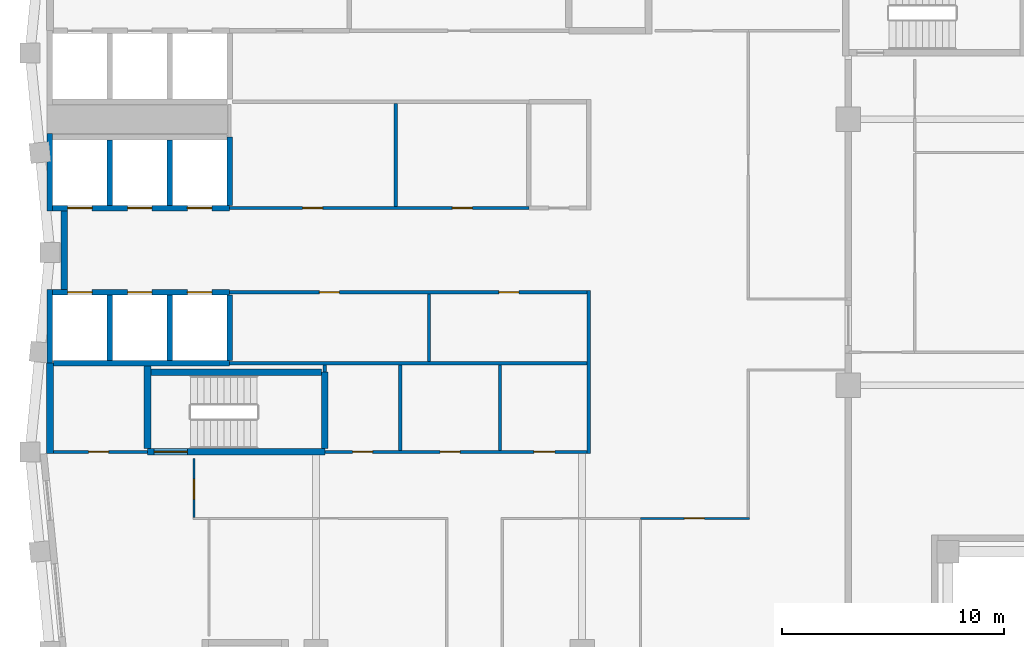
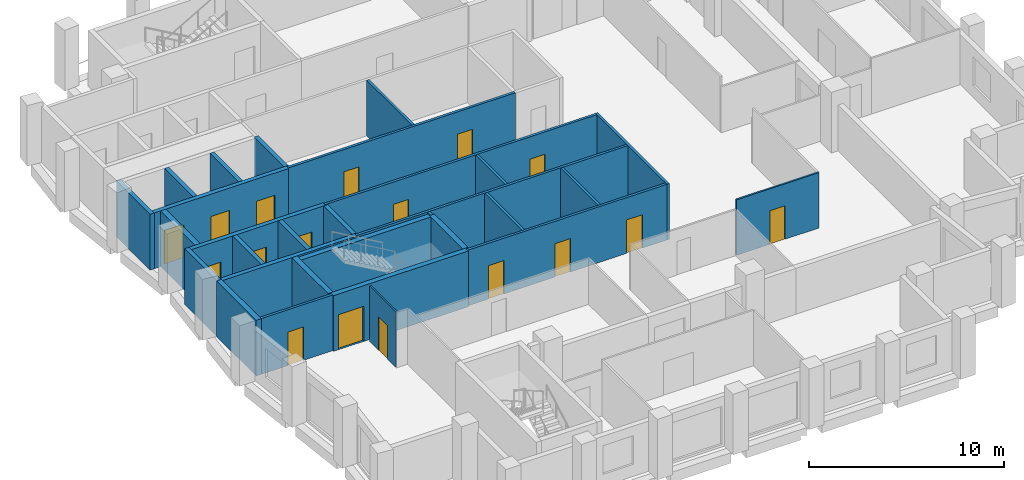
# One storey, part 3 of 7: 30 walls, 17 doors, 17 openings.
"""IFC4 building model written with IfcOpenShell, lengths in metres."""

import ifcopenshell
import ifcopenshell.guid

model = None  # the IFC model being written
_history = None  # IfcOwnerHistory: only IFC2X3 demands one
_inside = {}  # id of a spatial element -> (the spatial element, [elements in it])
_under = {}  # id of a project, library or spatial element -> (it, [spatial elements below it])
_declared = {}  # id of a project -> (the project, [libraries it declares])
_typed = {}  # id of a type object -> (the type object, [elements of that type])
_made_of = {}  # id of a material, layer set ... -> (it, [elements and type objects made of it])


def new_model(schema):
    """Start an empty IFC model of exactly this schema.

    Asked for "IFC4X3", IfcOpenShell would pick the latest addendum, in which some entities
    have other attributes; the version numbers below select the first issue.
    IFC2X3 requires an IfcOwnerHistory on every rooted entity: one is made here for all.
    """
    global model, _history
    if schema == "IFC4X3":
        model = ifcopenshell.file(schema_version=(4, 3, 0, 0))
    else:
        model = ifcopenshell.file(schema=schema)
    _inside.clear()
    _under.clear()
    _declared.clear()
    _typed.clear()
    _made_of.clear()
    _history = None
    if model.schema == "IFC2X3":
        org = make("IfcOrganization", Name="unknown")
        user = make(
            "IfcPersonAndOrganization",
            ThePerson=make("IfcPerson", FamilyName="unknown"),
            TheOrganization=org,
        )
        app = make(
            "IfcApplication",
            ApplicationDeveloper=org,
            Version="unknown",
            ApplicationFullName="unknown",
            ApplicationIdentifier="unknown",
        )
        _history = make(
            "IfcOwnerHistory",
            OwningUser=user,
            OwningApplication=app,
            ChangeAction="ADDED",
            CreationDate=0,
        )
    return model


def make(cls, **values):
    """One entity of the class cls with the attributes given. An attribute that is None is left unset."""
    return model.create_entity(
        cls, **{name: value for name, value in values.items() if value is not None}
    )


def rooted(cls, **values):
    """An entity with a GlobalId (a new one), such as an element, a storey or a relation."""
    return make(cls, GlobalId=ifcopenshell.guid.new(), OwnerHistory=_history, **values)


def si_unit(unit_type, name, prefix=None):
    """IfcSIUnit, for example si_unit("LENGTHUNIT", "METRE", prefix="MILLI")."""
    return make("IfcSIUnit", UnitType=unit_type, Prefix=prefix, Name=name)


def assignment(units):
    """IfcUnitAssignment: the units of a project."""
    return None if units is None else make("IfcUnitAssignment", Units=units)


def point(xyz):
    """IfcCartesianPoint."""
    return None if xyz is None else make("IfcCartesianPoint", Coordinates=xyz)


def direction(xyz):
    """IfcDirection."""
    return None if xyz is None else make("IfcDirection", DirectionRatios=xyz)


def frame(location, z_axis=None, x_axis=None):
    """IfcAxis2Placement3D, a coordinate frame: its origin and axes. An axis left out is left unset."""
    return make(
        "IfcAxis2Placement3D",
        Location=point(location),
        Axis=direction(z_axis),
        RefDirection=direction(x_axis),
    )


def frame_2d(location, x_axis=None):
    """IfcAxis2Placement2D, a coordinate frame in the plane: its origin and x axis."""
    return make(
        "IfcAxis2Placement2D", Location=point(location), RefDirection=direction(x_axis)
    )


def origin():
    """The frame at (0, 0, 0) with its axes left unset."""
    return frame((0.0, 0.0, 0.0))


def place(relative_to, where):
    """IfcLocalPlacement: puts the frame where relative to a parent placement (None: the world)."""
    return make(
        "IfcLocalPlacement", PlacementRelTo=relative_to, RelativePlacement=where
    )


def context(
    kind, dimensions, precision=None, world=None, true_north=None, identifier=None
):
    """IfcGeometricRepresentationContext, for example the 3D "Model" context."""
    return make(
        "IfcGeometricRepresentationContext",
        ContextIdentifier=identifier,
        ContextType=kind,
        CoordinateSpaceDimension=dimensions,
        Precision=precision,
        WorldCoordinateSystem=world,
        TrueNorth=true_north,
    )


def subcontext(parent, identifier, kind, view, scale=None):
    """IfcGeometricRepresentationSubContext, for example "Body" below "Model"."""
    return make(
        "IfcGeometricRepresentationSubContext",
        ContextIdentifier=identifier,
        ContextType=kind,
        ParentContext=parent,
        TargetScale=scale,
        TargetView=view,
    )


def project(units=None, contexts=None):
    """IfcProject with its units and contexts."""
    return rooted(
        "IfcProject",
        Name="project",
        RepresentationContexts=contexts,
        UnitsInContext=assignment(units),
    )


def spatial(cls, under=None, at=None, **own):
    """A site, building, storey or space (cls), placed at a placement, below another one or the project."""
    s = rooted(cls, ObjectPlacement=at, **own)
    if under is not None:
        _under.setdefault(under.id(), (under, []))[1].append(s)
    return s


def profile(cls, at=None, kind="AREA", **sizes):
    """A parametric profile (cls). Its sizes go by their IFC names, for example OverallWidth=200.0."""
    return make(cls, ProfileType=kind, Position=at, **sizes)


def rectangle(**sizes):
    """IfcRectangleProfileDef."""
    return profile("IfcRectangleProfileDef", **sizes)


def extrude(swept, where, along, depth):
    """IfcExtrudedAreaSolid: the profile swept, set in the frame where, extruded along a direction by depth."""
    return make(
        "IfcExtrudedAreaSolid",
        SweptArea=swept,
        Position=where,
        ExtrudedDirection=direction(along),
        Depth=depth,
    )


def shape(context_of_items, identifier, shape_type, items):
    """IfcShapeRepresentation: the items that make up one representation, for example the "Body"."""
    return make(
        "IfcShapeRepresentation",
        ContextOfItems=context_of_items,
        RepresentationIdentifier=identifier,
        RepresentationType=shape_type,
        Items=items,
    )


def material(Name=None, Category=None):
    """IfcMaterial."""
    return make("IfcMaterial", Name=Name, Category=Category)


def layer(
    of_material, thickness, ventilated=None, Name=None, Category=None, Priority=None
):
    """IfcMaterialLayer: one layer of a wall or slab, of a material (None: an air gap)."""
    return make(
        "IfcMaterialLayer",
        Material=of_material,
        LayerThickness=thickness,
        IsVentilated=ventilated,
        Name=Name,
        Category=Category,
        Priority=Priority,
    )


def layer_set(layers, Name=None):
    """IfcMaterialLayerSet."""
    return make("IfcMaterialLayerSet", MaterialLayers=layers, LayerSetName=Name)


def made_of(thing, what):
    """Note that an element or type object is made of a material, layer set ...; save() writes the relation."""
    if what is not None:
        _made_of.setdefault(what.id(), (what, []))[1].append(thing)
    return thing


def type_object(cls, material=None, **own):
    """A type object (cls), such as IfcWallType, which elements share."""
    return made_of(rooted(cls, **own), material)


def element(
    cls,
    number,
    at=None,
    inside=None,
    cuts=None,
    type_object=None,
    material=None,
    context=None,
    identifier="Body",
    shape_type=None,
    held_by="IfcProductDefinitionShape",
    body=None,
    shapes=None,
    **own,
):
    """One element of the class cls, such as IfcWall. Its Tag is "e" and its number.

    at: its placement. inside: the storey or other place that contains it. cuts: it is an
    opening in that element (IfcRelVoidsElement). A single representation is given by context,
    identifier, shape_type and body (its items); several are given by shapes. held_by: the class
    of the entity that holds the representations. save() writes the other relations.
    """
    e = rooted(cls, Tag="e%d" % number, ObjectPlacement=at, **own)
    if body is not None:
        shapes = [shape(context, identifier, shape_type, body)]
    if shapes is not None:
        e.Representation = make(held_by, Representations=shapes)
    if inside is not None:
        _inside.setdefault(inside.id(), (inside, []))[1].append(e)
    if cuts is not None:
        rooted(
            "IfcRelVoidsElement", RelatingBuildingElement=cuts, RelatedOpeningElement=e
        )
    if type_object is not None:
        _typed.setdefault(type_object.id(), (type_object, []))[1].append(e)
    return made_of(e, material)


def fill(opening, filler):
    """IfcRelFillsElement: the door or window that sits in an opening."""
    return rooted(
        "IfcRelFillsElement",
        RelatingOpeningElement=opening,
        RelatedBuildingElement=filler,
    )


def aggregate(whole, parts):
    """IfcRelAggregates: a whole, such as a stair, and the parts it consists of."""
    return rooted("IfcRelAggregates", RelatingObject=whole, RelatedObjects=parts)


def save(model, path):
    """Write the relations noted so far, then the file.

    IfcRelAggregates (storeys below a building ...), IfcRelContainedInSpatialStructure (elements
    in a storey), IfcRelDefinesByType, IfcRelAssociatesMaterial and IfcRelDeclares: one each for
    every whole, place, type object, material and project.
    """
    for whole, parts in _under.values():
        aggregate(whole, parts)
    for where, things in _inside.values():
        rooted(
            "IfcRelContainedInSpatialStructure",
            RelatedElements=things,
            RelatingStructure=where,
        )
    for kind, things in _typed.values():
        rooted("IfcRelDefinesByType", RelatedObjects=things, RelatingType=kind)
    for what, things in _made_of.values():
        rooted("IfcRelAssociatesMaterial", RelatedObjects=things, RelatingMaterial=what)
    for by, libraries in _declared.values():
        rooted("IfcRelDeclares", RelatingContext=by, RelatedDefinitions=libraries)
    model.write(path)


model = new_model("IFC4")

# Units and contexts
model_context = context("Model", 3, precision=1e-05, world=origin(), true_north=direction((0.0, 1.0)))
body_context = subcontext(model_context, "Body", "Model", "MODEL_VIEW")
ifc_project = project(units=[si_unit("LENGTHUNIT", "METRE"), si_unit("AREAUNIT", "SQUARE_METRE"), si_unit("VOLUMEUNIT", "CUBIC_METRE"), si_unit("PLANEANGLEUNIT", "RADIAN"), si_unit("MASSUNIT", "GRAM", prefix="KILO")], contexts=[model_context])

# Site, building, storey
site_placement = place(None, origin())
site = spatial("IfcSite", under=ifc_project, at=site_placement, CompositionType="ELEMENT")
building_placement = place(site_placement, origin())
building = spatial("IfcBuilding", under=site, at=building_placement, Name="Brondeck Convention Tower", CompositionType="ELEMENT")
storey_placement = place(building_placement, frame((0.0, 0.0, 263.800048828125)))
storey = spatial("IfcBuildingStorey", under=building, at=storey_placement, Name="L65", CompositionType="ELEMENT", Elevation=263.800048828125)

# Wall, openings, doors
ifc_material_1 = material(Name="Concrete C50/60", Category="concrete")
ifc_layer_1 = layer(ifc_material_1, 0.14990234375)
ifc_layer_set_1 = layer_set([ifc_layer_1], Name="Core beam-seat wall 150 Concrete C50/60")
wall_type_1 = type_object("IfcWallType", Name="Core beam-seat wall 150 Concrete C50/60", PredefinedType="SHEAR", material=ifc_layer_set_1)
wall_1_placement = place(storey_placement, frame((12.39990234375, 36.0, 0.0), z_axis=(0.0, 0.0, 1.0), x_axis=(1.0, 0.0, 0.0)))
wall_1 = element("IfcWall", 1, at=wall_1_placement, inside=storey, type_object=wall_type_1, Name="L65 core wall", PredefinedType="SHEAR", context=body_context, shape_type="SweptSolid", body=[
    extrude(rectangle(XDim=11.8251953125, YDim=0.14990234375, at=frame_2d((5.91259765625, 0.0))), origin(), (0.0, 0.0, 1.0), 3.5),
])
opening_1_placement = place(wall_1_placement, frame((1.25, 0.0, 0.0)))
opening_1 = element("IfcOpeningElement", 2, at=opening_1_placement, cuts=wall_1, Name="Opening C36-03", PredefinedType="OPENING", context=body_context, shape_type="SweptSolid", body=[
    extrude(rectangle(XDim=0.89990234375, YDim=2.10009765625, at=frame_2d((0.449951171875, 1.050048828125))), frame((0.0, 0.0849609375, 0.0), z_axis=(0.0, -1.0, 0.0), x_axis=(1.0, 0.0, 0.0)), (0.0, 0.0, 1.0), 0.169921875),
])
opening_2_placement = place(wall_1_placement, frame((5.199951171875, 0.0, 0.0)))
opening_2 = element("IfcOpeningElement", 3, at=opening_2_placement, cuts=wall_1, Name="Opening C36-04", PredefinedType="OPENING", context=body_context, shape_type="SweptSolid", body=[
    extrude(rectangle(XDim=0.89990234375, YDim=2.10009765625, at=frame_2d((0.449951171875, 1.050048828125))), frame((0.0, 0.0849609375, 0.0), z_axis=(0.0, -1.0, 0.0), x_axis=(1.0, 0.0, 0.0)), (0.0, 0.0, 1.0), 0.169921875),
])
opening_3_placement = place(wall_1_placement, frame((9.425048828125, 0.0, 0.0)))
opening_3 = element("IfcOpeningElement", 4, at=opening_3_placement, cuts=wall_1, Name="Opening C36-05", PredefinedType="OPENING", context=body_context, shape_type="SweptSolid", body=[
    extrude(rectangle(XDim=0.949951171875, YDim=2.10009765625, at=frame_2d((0.47509765625, 1.050048828125))), frame((0.0, 0.0849609375, 0.0), z_axis=(0.0, -1.0, 0.0), x_axis=(1.0, 0.0, 0.0)), (0.0, 0.0, 1.0), 0.169921875),
])
ifc_material_2 = material(Name="Steel fire door", Category="steel")
door_type_1 = type_object("IfcDoorType", Name="Room door 900x2100 EI 60", OperationType="NOTDEFINED", PredefinedType="DOOR", material=ifc_material_2)
door_1_placement = place(opening_1_placement, origin())
door_1 = element("IfcDoor", 5, at=door_1_placement, inside=storey, type_object=door_type_1, Name="L65 Room door FR-1", OperationType="SINGLE_SWING_RIGHT", OverallHeight=2.10009765625, OverallWidth=0.89990234375, PredefinedType="DOOR", context=body_context, shape_type="SweptSolid", body=[
    extrude(rectangle(XDim=0.89990234375, YDim=2.10009765625, at=frame_2d((0.449951171875, 1.050048828125))), frame((0.0, 0.02490234375, 0.0), z_axis=(0.0, -1.0, 0.0), x_axis=(1.0, 0.0, 0.0)), (0.0, 0.0, 1.0), 0.050048828125),
])
fill(opening_1, door_1)
door_2_placement = place(opening_2_placement, origin())
door_2 = element("IfcDoor", 6, at=door_2_placement, inside=storey, type_object=door_type_1, Name="L65 Room door FR-2", OperationType="SINGLE_SWING_LEFT", OverallHeight=2.10009765625, OverallWidth=0.89990234375, PredefinedType="DOOR", context=body_context, shape_type="SweptSolid", body=[
    extrude(rectangle(XDim=0.89990234375, YDim=2.10009765625, at=frame_2d((0.449951171875, 1.050048828125))), frame((0.0, 0.02490234375, 0.0), z_axis=(0.0, -1.0, 0.0), x_axis=(1.0, 0.0, 0.0)), (0.0, 0.0, 1.0), 0.050048828125),
])
fill(opening_2, door_2)
door_type_2 = type_object("IfcDoorType", Name="Room door 950x2100 EI 60", OperationType="NOTDEFINED", PredefinedType="DOOR", material=ifc_material_2)
door_3_placement = place(opening_3_placement, origin())
door_3 = element("IfcDoor", 7, at=door_3_placement, inside=storey, type_object=door_type_2, Name="L65 Room door FR-3", OperationType="SINGLE_SWING_RIGHT", OverallHeight=2.10009765625, OverallWidth=0.949951171875, PredefinedType="DOOR", context=body_context, shape_type="SweptSolid", body=[
    extrude(rectangle(XDim=0.949951171875, YDim=2.10009765625, at=frame_2d((0.47509765625, 1.050048828125))), frame((0.0, 0.02490234375, 0.0), z_axis=(0.0, -1.0, 0.0), x_axis=(1.0, 0.0, 0.0)), (0.0, 0.0, 1.0), 0.050048828125),
])
fill(opening_3, door_3)

# Walls
ifc_layer_2 = layer(ifc_material_1, 0.300048828125)
ifc_layer_set_2 = layer_set([ifc_layer_2], Name="Core outer wall 300 Concrete C50/60")
wall_type_2 = type_object("IfcWallType", Name="Core outer wall 300 Concrete C50/60", PredefinedType="SHEAR", material=ifc_layer_set_2)
wall_2_placement = place(storey_placement, frame((0.0, 35.925048828125, 0.0), z_axis=(0.0, 0.0, 1.0), x_axis=(0.0, 1.0, 0.0)))
element("IfcWall", 8, at=wall_2_placement, inside=storey, type_object=wall_type_2, Name="L65 core wall", PredefinedType="SHEAR", context=body_context, shape_type="SweptSolid", body=[
    extrude(rectangle(XDim=4.074951171875, YDim=0.300048828125, at=frame_2d((2.03759765625, 0.0))), origin(), (0.0, 0.0, 1.0), 3.5),
])
wall_3_placement = place(storey_placement, frame((0.64990234375, 43.324951171875, 0.0), z_axis=(0.0, 0.0, 1.0), x_axis=(0.0, 1.0, 0.0)))
element("IfcWall", 9, at=wall_3_placement, inside=storey, type_object=wall_type_2, Name="L65 core wall", PredefinedType="SHEAR", context=body_context, shape_type="SweptSolid", body=[
    extrude(rectangle(XDim=3.550048828125, YDim=0.300048828125, at=frame_2d((1.77490234375, 0.0))), origin(), (0.0, 0.0, 1.0), 3.5),
])

# Wall, opening, door
ifc_material_3 = material(Name="Fire-rated gypsum board partition")
ifc_layer_3 = layer(ifc_material_3, 0.14990234375)
ifc_layer_set_3 = layer_set([ifc_layer_3], Name="Core partition 150 EI 60")
wall_type_3 = type_object("IfcWallType", Name="Core partition 150 EI 60", PredefinedType="PARTITIONING", material=ifc_layer_set_3)
wall_4_placement = place(storey_placement, frame((0.14990234375, 36.0, 0.0), z_axis=(0.0, 0.0, 1.0), x_axis=(1.0, 0.0, 0.0)))
wall_4 = element("IfcWall", 10, at=wall_4_placement, inside=storey, type_object=wall_type_3, Name="L65 core wall", PredefinedType="PARTITIONING", context=body_context, shape_type="SweptSolid", body=[
    extrude(rectangle(XDim=4.25, YDim=0.14990234375, at=frame_2d((2.125, 0.0))), origin(), (0.0, 0.0, 1.0), 3.5),
])
opening_4_placement = place(wall_4_placement, frame((1.60009765625, 0.0, 0.0)))
opening_4 = element("IfcOpeningElement", 11, at=opening_4_placement, cuts=wall_4, Name="Opening C36-06", PredefinedType="OPENING", context=body_context, shape_type="SweptSolid", body=[
    extrude(rectangle(XDim=0.89990234375, YDim=2.10009765625, at=frame_2d((0.449951171875, 1.050048828125))), frame((0.0, 0.0849609375, 0.0), z_axis=(0.0, -1.0, 0.0), x_axis=(1.0, 0.0, 0.0)), (0.0, 0.0, 1.0), 0.169921875),
])
door_4_placement = place(opening_4_placement, origin())
door_4 = element("IfcDoor", 12, at=door_4_placement, inside=storey, type_object=door_type_1, Name="L65 Room door FRW-1", OperationType="SINGLE_SWING_LEFT", OverallHeight=2.10009765625, OverallWidth=0.89990234375, PredefinedType="DOOR", context=body_context, shape_type="SweptSolid", body=[
    extrude(rectangle(XDim=0.89990234375, YDim=2.10009765625, at=frame_2d((0.449951171875, 1.050048828125))), frame((0.0, 0.02490234375, 0.0), z_axis=(0.0, -1.0, 0.0), x_axis=(1.0, 0.0, 0.0)), (0.0, 0.0, 1.0), 0.050048828125),
])
fill(opening_4, door_4)

# Wall
wall_5_placement = place(storey_placement, frame((8.10009765625, 40.0, 0.0), z_axis=(0.0, 0.0, 1.0), x_axis=(1.0, 0.0, 0.0)))
element("IfcWall", 13, at=wall_5_placement, inside=storey, type_object=wall_type_3, Name="L65 core wall", PredefinedType="PARTITIONING", context=body_context, shape_type="SweptSolid", body=[
    extrude(rectangle(XDim=16.125, YDim=0.14990234375, at=frame_2d((8.0625, 0.0))), origin(), (0.0, 0.0, 1.0), 3.5),
])

# Wall, openings, doors
wall_6_placement = place(storey_placement, frame((8.10009765625, 43.199951171875, 0.0), z_axis=(0.0, 0.0, 1.0), x_axis=(1.0, 0.0, 0.0)))
wall_6 = element("IfcWall", 14, at=wall_6_placement, inside=storey, type_object=wall_type_3, Name="L65 core wall", PredefinedType="PARTITIONING", context=body_context, shape_type="SweptSolid", body=[
    extrude(rectangle(XDim=16.125, YDim=0.14990234375, at=frame_2d((8.0625, 0.0))), origin(), (0.0, 0.0, 1.0), 3.5),
])
opening_5_placement = place(wall_6_placement, frame((4.050048828125, 0.0, 0.0)))
opening_5 = element("IfcOpeningElement", 15, at=opening_5_placement, cuts=wall_6, Name="Opening C36-09", PredefinedType="OPENING", context=body_context, shape_type="SweptSolid", body=[
    extrude(rectangle(XDim=0.89990234375, YDim=2.10009765625, at=frame_2d((0.449951171875, 1.050048828125))), frame((0.0, 0.0849609375, 0.0), z_axis=(0.0, -1.0, 0.0), x_axis=(1.0, 0.0, 0.0)), (0.0, 0.0, 1.0), 0.169921875),
])
opening_6_placement = place(wall_6_placement, frame((12.14990234375, 0.0, 0.0)))
opening_6 = element("IfcOpeningElement", 16, at=opening_6_placement, cuts=wall_6, Name="Opening C36-10", PredefinedType="OPENING", context=body_context, shape_type="SweptSolid", body=[
    extrude(rectangle(XDim=0.89990234375, YDim=2.10009765625, at=frame_2d((0.449951171875, 1.050048828125))), frame((0.0, 0.0849609375, 0.0), z_axis=(0.0, -1.0, 0.0), x_axis=(1.0, 0.0, 0.0)), (0.0, 0.0, 1.0), 0.169921875),
])
door_5_placement = place(opening_5_placement, origin())
door_5 = element("IfcDoor", 17, at=door_5_placement, inside=storey, type_object=door_type_1, Name="L65 Room door FZ-S-8.1-1", OperationType="SINGLE_SWING_RIGHT", OverallHeight=2.10009765625, OverallWidth=0.89990234375, PredefinedType="DOOR", context=body_context, shape_type="SweptSolid", body=[
    extrude(rectangle(XDim=0.89990234375, YDim=2.10009765625, at=frame_2d((0.449951171875, 1.050048828125))), frame((0.0, 0.02490234375, 0.0), z_axis=(0.0, -1.0, 0.0), x_axis=(1.0, 0.0, 0.0)), (0.0, 0.0, 1.0), 0.050048828125),
])
fill(opening_5, door_5)
door_6_placement = place(opening_6_placement, origin())
door_6 = element("IfcDoor", 18, at=door_6_placement, inside=storey, type_object=door_type_1, Name="L65 Room door FZ-S-8.1-2", OperationType="SINGLE_SWING_LEFT", OverallHeight=2.10009765625, OverallWidth=0.89990234375, PredefinedType="DOOR", context=body_context, shape_type="SweptSolid", body=[
    extrude(rectangle(XDim=0.89990234375, YDim=2.10009765625, at=frame_2d((0.449951171875, 1.050048828125))), frame((0.0, 0.02490234375, 0.0), z_axis=(0.0, -1.0, 0.0), x_axis=(1.0, 0.0, 0.0)), (0.0, 0.0, 1.0), 0.050048828125),
])
fill(opening_6, door_6)

wall_7_placement = place(storey_placement, frame((8.10009765625, 47.0, 0.0), z_axis=(0.0, 0.0, 1.0), x_axis=(1.0, 0.0, 0.0)))
wall_7 = element("IfcWall", 19, at=wall_7_placement, inside=storey, type_object=wall_type_3, Name="L65 core wall", PredefinedType="PARTITIONING", context=body_context, shape_type="SweptSolid", body=[
    extrude(rectangle(XDim=13.5, YDim=0.14990234375, at=frame_2d((6.75, 0.0))), origin(), (0.0, 0.0, 1.0), 3.5),
])
opening_7_placement = place(wall_7_placement, frame((3.300048828125, 0.0, 0.0)))
opening_7 = element("IfcOpeningElement", 20, at=opening_7_placement, cuts=wall_7, Name="Opening C36-07", PredefinedType="OPENING", context=body_context, shape_type="SweptSolid", body=[
    extrude(rectangle(XDim=0.89990234375, YDim=2.10009765625, at=frame_2d((0.449951171875, 1.050048828125))), frame((0.0, 0.0849609375, 0.0), z_axis=(0.0, -1.0, 0.0), x_axis=(1.0, 0.0, 0.0)), (0.0, 0.0, 1.0), 0.169921875),
])
opening_8_placement = place(wall_7_placement, frame((10.050048828125, 0.0, 0.0)))
opening_8 = element("IfcOpeningElement", 21, at=opening_8_placement, cuts=wall_7, Name="Opening C36-08", PredefinedType="OPENING", context=body_context, shape_type="SweptSolid", body=[
    extrude(rectangle(XDim=0.89990234375, YDim=2.10009765625, at=frame_2d((0.449951171875, 1.050048828125))), frame((0.0, 0.0849609375, 0.0), z_axis=(0.0, -1.0, 0.0), x_axis=(1.0, 0.0, 0.0)), (0.0, 0.0, 1.0), 0.169921875),
])
door_7_placement = place(opening_7_placement, origin())
door_7 = element("IfcDoor", 22, at=door_7_placement, inside=storey, type_object=door_type_1, Name="L65 Room door FZ-N-8.1-1", OperationType="SINGLE_SWING_LEFT", OverallHeight=2.10009765625, OverallWidth=0.89990234375, PredefinedType="DOOR", context=body_context, shape_type="SweptSolid", body=[
    extrude(rectangle(XDim=0.89990234375, YDim=2.10009765625, at=frame_2d((0.449951171875, 1.050048828125))), frame((0.0, 0.02490234375, 0.0), z_axis=(0.0, -1.0, 0.0), x_axis=(1.0, 0.0, 0.0)), (0.0, 0.0, 1.0), 0.050048828125),
])
fill(opening_7, door_7)
door_8_placement = place(opening_8_placement, origin())
door_8 = element("IfcDoor", 23, at=door_8_placement, inside=storey, type_object=door_type_1, Name="L65 Room door FZ-N-8.1-2", OperationType="SINGLE_SWING_RIGHT", OverallHeight=2.10009765625, OverallWidth=0.89990234375, PredefinedType="DOOR", context=body_context, shape_type="SweptSolid", body=[
    extrude(rectangle(XDim=0.89990234375, YDim=2.10009765625, at=frame_2d((0.449951171875, 1.050048828125))), frame((0.0, 0.02490234375, 0.0), z_axis=(0.0, -1.0, 0.0), x_axis=(1.0, 0.0, 0.0)), (0.0, 0.0, 1.0), 0.050048828125),
])
fill(opening_8, door_8)

# Walls
wall_8_placement = place(storey_placement, frame((12.39990234375, 39.60009765625, 0.0), z_axis=(0.0, 0.0, 1.0), x_axis=(0.0, 1.0, 0.0)))
element("IfcWall", 24, at=wall_8_placement, inside=storey, type_object=wall_type_3, Name="L65 core wall", PredefinedType="PARTITIONING", context=body_context, shape_type="SweptSolid", body=[
    extrude(rectangle(XDim=0.324951171875, YDim=0.14990234375, at=frame_2d((0.16259765625, 0.0))), origin(), (0.0, 0.0, 1.0), 3.5),
])
wall_9_placement = place(storey_placement, frame((15.60009765625, 47.074951171875, 0.0), z_axis=(0.0, 0.0, 1.0), x_axis=(0.0, 1.0, 0.0)))
element("IfcWall", 25, at=wall_9_placement, inside=storey, type_object=wall_type_3, Name="L65 core wall", PredefinedType="PARTITIONING", context=body_context, shape_type="SweptSolid", body=[
    extrude(rectangle(XDim=4.650146484375, YDim=0.14990234375, at=frame_2d((2.3251953125, 0.0))), origin(), (0.0, 0.0, 1.0), 3.5),
])
wall_10_placement = place(storey_placement, frame((15.800048828125, 36.074951171875, 0.0), z_axis=(0.0, 0.0, 1.0), x_axis=(0.0, 1.0, 0.0)))
element("IfcWall", 26, at=wall_10_placement, inside=storey, type_object=wall_type_3, Name="L65 core wall", PredefinedType="PARTITIONING", context=body_context, shape_type="SweptSolid", body=[
    extrude(rectangle(XDim=3.85009765625, YDim=0.14990234375, at=frame_2d((1.925048828125, 0.0))), origin(), (0.0, 0.0, 1.0), 3.5),
])
wall_11_placement = place(storey_placement, frame((17.10009765625, 40.074951171875, 0.0), z_axis=(0.0, 0.0, 1.0), x_axis=(0.0, 1.0, 0.0)))
element("IfcWall", 27, at=wall_11_placement, inside=storey, type_object=wall_type_3, Name="L65 core wall", PredefinedType="PARTITIONING", context=body_context, shape_type="SweptSolid", body=[
    extrude(rectangle(XDim=3.050048828125, YDim=0.14990234375, at=frame_2d((1.52490234375, 0.0))), origin(), (0.0, 0.0, 1.0), 3.5),
])
wall_12_placement = place(storey_placement, frame((20.300048828125, 36.074951171875, 0.0), z_axis=(0.0, 0.0, 1.0), x_axis=(0.0, 1.0, 0.0)))
element("IfcWall", 28, at=wall_12_placement, inside=storey, type_object=wall_type_3, Name="L65 core wall", PredefinedType="PARTITIONING", context=body_context, shape_type="SweptSolid", body=[
    extrude(rectangle(XDim=3.85009765625, YDim=0.14990234375, at=frame_2d((1.925048828125, 0.0))), origin(), (0.0, 0.0, 1.0), 3.5),
])
wall_13_placement = place(storey_placement, frame((24.300048828125, 35.925048828125, 0.0), z_axis=(0.0, 0.0, 1.0), x_axis=(0.0, 1.0, 0.0)))
element("IfcWall", 29, at=wall_13_placement, inside=storey, type_object=wall_type_3, Name="L65 core wall", PredefinedType="PARTITIONING", context=body_context, shape_type="SweptSolid", body=[
    extrude(rectangle(XDim=7.349853515625, YDim=0.14990234375, at=frame_2d((3.6748046875, 0.0))), origin(), (0.0, 0.0, 1.0), 3.5),
])
ifc_layer_4 = layer(ifc_material_1, 0.25)
ifc_layer_set_4 = layer_set([ifc_layer_4], Name="Lift shaft wall 250 Concrete C50/60")
wall_type_4 = type_object("IfcWallType", Name="Lift shaft wall 250 Concrete C50/60", PredefinedType="SHEAR", material=ifc_layer_set_4)
wall_14_placement = place(storey_placement, frame((0.14990234375, 40.0, 0.0), z_axis=(0.0, 0.0, 1.0), x_axis=(1.0, 0.0, 0.0)))
element("IfcWall", 30, at=wall_14_placement, inside=storey, type_object=wall_type_4, Name="L65 core wall", PredefinedType="SHEAR", context=body_context, shape_type="SweptSolid", body=[
    extrude(rectangle(XDim=7.9501953125, YDim=0.25, at=frame_2d((3.97509765625, 0.0))), origin(), (0.0, 0.0, 1.0), 3.5),
])

# Wall, openings, doors
wall_15_placement = place(storey_placement, frame((0.125, 43.199951171875, 0.0), z_axis=(0.0, 0.0, 1.0), x_axis=(1.0, 0.0, 0.0)))
wall_15 = element("IfcWall", 31, at=wall_15_placement, inside=storey, type_object=wall_type_4, Name="L65 core wall", PredefinedType="SHEAR", context=body_context, shape_type="SweptSolid", body=[
    extrude(rectangle(XDim=7.97509765625, YDim=0.25, at=frame_2d((3.987548828125, 0.0))), origin(), (0.0, 0.0, 1.0), 3.5),
])
opening_9_placement = place(wall_15_placement, frame((0.675048828125, 0.0, 0.0)))
opening_9 = element("IfcOpeningElement", 32, at=opening_9_placement, cuts=wall_15, Name="Opening C36-20", PredefinedType="OPENING", context=body_context, shape_type="SweptSolid", body=[
    extrude(rectangle(XDim=1.10009765625, YDim=2.10009765625, at=frame_2d((0.550048828125, 1.050048828125))), frame((0.0, 0.135009765625, 0.0), z_axis=(0.0, -1.0, 0.0), x_axis=(1.0, 0.0, 0.0)), (0.0, 0.0, 1.0), 0.27001953125),
])
opening_10_placement = place(wall_15_placement, frame((3.375, 0.0, 0.0)))
opening_10 = element("IfcOpeningElement", 33, at=opening_10_placement, cuts=wall_15, Name="Opening C36-21", PredefinedType="OPENING", context=body_context, shape_type="SweptSolid", body=[
    extrude(rectangle(XDim=1.10009765625, YDim=2.10009765625, at=frame_2d((0.550048828125, 1.050048828125))), frame((0.0, 0.135009765625, 0.0), z_axis=(0.0, -1.0, 0.0), x_axis=(1.0, 0.0, 0.0)), (0.0, 0.0, 1.0), 0.27001953125),
])
opening_11_placement = place(wall_15_placement, frame((6.074951171875, 0.0, 0.0)))
opening_11 = element("IfcOpeningElement", 34, at=opening_11_placement, cuts=wall_15, Name="Opening C36-22", PredefinedType="OPENING", context=body_context, shape_type="SweptSolid", body=[
    extrude(rectangle(XDim=1.10009765625, YDim=2.10009765625, at=frame_2d((0.550048828125, 1.050048828125))), frame((0.0, 0.135009765625, 0.0), z_axis=(0.0, -1.0, 0.0), x_axis=(1.0, 0.0, 0.0)), (0.0, 0.0, 1.0), 0.27001953125),
])
ifc_material_4 = material(Name="Stainless steel lift door", Category="steel")
door_type_3 = type_object("IfcDoorType", Name="Lift landing door 1100x2100 EI 180", OperationType="DOUBLE_DOOR_SLIDING", PredefinedType="DOOR", material=ifc_material_4)
door_9_placement = place(opening_9_placement, origin())
door_9 = element("IfcDoor", 35, at=door_9_placement, inside=storey, type_object=door_type_3, Name="L65 Lift landing door HR1", OperationType="DOUBLE_DOOR_SLIDING", OverallHeight=2.10009765625, OverallWidth=1.10009765625, PredefinedType="DOOR", context=body_context, shape_type="SweptSolid", body=[
    extrude(rectangle(XDim=1.10009765625, YDim=2.10009765625, at=frame_2d((0.550048828125, 1.050048828125))), frame((0.0, 0.02490234375, 0.0), z_axis=(0.0, -1.0, 0.0), x_axis=(1.0, 0.0, 0.0)), (0.0, 0.0, 1.0), 0.050048828125),
])
fill(opening_9, door_9)
door_10_placement = place(opening_10_placement, origin())
door_10 = element("IfcDoor", 36, at=door_10_placement, inside=storey, type_object=door_type_3, Name="L65 Lift landing door HR2", OperationType="DOUBLE_DOOR_SLIDING", OverallHeight=2.10009765625, OverallWidth=1.10009765625, PredefinedType="DOOR", context=body_context, shape_type="SweptSolid", body=[
    extrude(rectangle(XDim=1.10009765625, YDim=2.10009765625, at=frame_2d((0.550048828125, 1.050048828125))), frame((0.0, 0.02490234375, 0.0), z_axis=(0.0, -1.0, 0.0), x_axis=(1.0, 0.0, 0.0)), (0.0, 0.0, 1.0), 0.050048828125),
])
fill(opening_10, door_10)
door_11_placement = place(opening_11_placement, origin())
door_11 = element("IfcDoor", 37, at=door_11_placement, inside=storey, type_object=door_type_3, Name="L65 Lift landing door HR3", OperationType="DOUBLE_DOOR_SLIDING", OverallHeight=2.10009765625, OverallWidth=1.10009765625, PredefinedType="DOOR", context=body_context, shape_type="SweptSolid", body=[
    extrude(rectangle(XDim=1.10009765625, YDim=2.10009765625, at=frame_2d((0.550048828125, 1.050048828125))), frame((0.0, 0.02490234375, 0.0), z_axis=(0.0, -1.0, 0.0), x_axis=(1.0, 0.0, 0.0)), (0.0, 0.0, 1.0), 0.050048828125),
])
fill(opening_11, door_11)

wall_16_placement = place(storey_placement, frame((0.125, 47.0, 0.0), z_axis=(0.0, 0.0, 1.0), x_axis=(1.0, 0.0, 0.0)))
wall_16 = element("IfcWall", 38, at=wall_16_placement, inside=storey, type_object=wall_type_4, Name="L65 core wall", PredefinedType="SHEAR", context=body_context, shape_type="SweptSolid", body=[
    extrude(rectangle(XDim=7.97509765625, YDim=0.25, at=frame_2d((3.987548828125, 0.0))), origin(), (0.0, 0.0, 1.0), 3.5),
])
opening_12_placement = place(wall_16_placement, frame((0.675048828125, 0.0, 0.0)))
opening_12 = element("IfcOpeningElement", 39, at=opening_12_placement, cuts=wall_16, Name="Opening C36-23", PredefinedType="OPENING", context=body_context, shape_type="SweptSolid", body=[
    extrude(rectangle(XDim=1.10009765625, YDim=2.10009765625, at=frame_2d((0.550048828125, 1.050048828125))), frame((0.0, 0.135009765625, 0.0), z_axis=(0.0, -1.0, 0.0), x_axis=(1.0, 0.0, 0.0)), (0.0, 0.0, 1.0), 0.27001953125),
])
opening_13_placement = place(wall_16_placement, frame((3.375, 0.0, 0.0)))
opening_13 = element("IfcOpeningElement", 40, at=opening_13_placement, cuts=wall_16, Name="Opening C36-24", PredefinedType="OPENING", context=body_context, shape_type="SweptSolid", body=[
    extrude(rectangle(XDim=1.10009765625, YDim=2.10009765625, at=frame_2d((0.550048828125, 1.050048828125))), frame((0.0, 0.135009765625, 0.0), z_axis=(0.0, -1.0, 0.0), x_axis=(1.0, 0.0, 0.0)), (0.0, 0.0, 1.0), 0.27001953125),
])
opening_14_placement = place(wall_16_placement, frame((6.074951171875, 0.0, 0.0)))
opening_14 = element("IfcOpeningElement", 41, at=opening_14_placement, cuts=wall_16, Name="Opening C36-25", PredefinedType="OPENING", context=body_context, shape_type="SweptSolid", body=[
    extrude(rectangle(XDim=1.10009765625, YDim=2.10009765625, at=frame_2d((0.550048828125, 1.050048828125))), frame((0.0, 0.135009765625, 0.0), z_axis=(0.0, -1.0, 0.0), x_axis=(1.0, 0.0, 0.0)), (0.0, 0.0, 1.0), 0.27001953125),
])
door_12_placement = place(opening_12_placement, origin())
door_12 = element("IfcDoor", 42, at=door_12_placement, inside=storey, type_object=door_type_3, Name="L65 Lift landing door HR4", OperationType="DOUBLE_DOOR_SLIDING", OverallHeight=2.10009765625, OverallWidth=1.10009765625, PredefinedType="DOOR", context=body_context, shape_type="SweptSolid", body=[
    extrude(rectangle(XDim=1.10009765625, YDim=2.10009765625, at=frame_2d((0.550048828125, 1.050048828125))), frame((0.0, 0.02490234375, 0.0), z_axis=(0.0, -1.0, 0.0), x_axis=(1.0, 0.0, 0.0)), (0.0, 0.0, 1.0), 0.050048828125),
])
fill(opening_12, door_12)
door_13_placement = place(opening_13_placement, origin())
door_13 = element("IfcDoor", 43, at=door_13_placement, inside=storey, type_object=door_type_3, Name="L65 Lift landing door HR5", OperationType="DOUBLE_DOOR_SLIDING", OverallHeight=2.10009765625, OverallWidth=1.10009765625, PredefinedType="DOOR", context=body_context, shape_type="SweptSolid", body=[
    extrude(rectangle(XDim=1.10009765625, YDim=2.10009765625, at=frame_2d((0.550048828125, 1.050048828125))), frame((0.0, 0.02490234375, 0.0), z_axis=(0.0, -1.0, 0.0), x_axis=(1.0, 0.0, 0.0)), (0.0, 0.0, 1.0), 0.050048828125),
])
fill(opening_13, door_13)
door_14_placement = place(opening_14_placement, origin())
door_14 = element("IfcDoor", 44, at=door_14_placement, inside=storey, type_object=door_type_3, Name="L65 Lift landing door HR6", OperationType="DOUBLE_DOOR_SLIDING", OverallHeight=2.10009765625, OverallWidth=1.10009765625, PredefinedType="DOOR", context=body_context, shape_type="SweptSolid", body=[
    extrude(rectangle(XDim=1.10009765625, YDim=2.10009765625, at=frame_2d((0.550048828125, 1.050048828125))), frame((0.0, 0.02490234375, 0.0), z_axis=(0.0, -1.0, 0.0), x_axis=(1.0, 0.0, 0.0)), (0.0, 0.0, 1.0), 0.050048828125),
])
fill(opening_14, door_14)

# Walls
wall_17_placement = place(storey_placement, frame((0.0, 40.0, 0.0), z_axis=(0.0, 0.0, 1.0), x_axis=(0.0, 1.0, 0.0)))
element("IfcWall", 45, at=wall_17_placement, inside=storey, type_object=wall_type_4, Name="L65 core wall", PredefinedType="SHEAR", context=body_context, shape_type="SweptSolid", body=[
    extrude(rectangle(XDim=3.324951171875, YDim=0.25, at=frame_2d((1.66259765625, 0.0))), origin(), (0.0, 0.0, 1.0), 3.5),
])
wall_18_placement = place(storey_placement, frame((0.0, 46.875, 0.0), z_axis=(0.0, 0.0, 1.0), x_axis=(0.0, 1.0, 0.0)))
element("IfcWall", 46, at=wall_18_placement, inside=storey, type_object=wall_type_4, Name="L65 core wall", PredefinedType="SHEAR", context=body_context, shape_type="SweptSolid", body=[
    extrude(rectangle(XDim=3.47509765625, YDim=0.25, at=frame_2d((1.737548828125, 0.0))), origin(), (0.0, 0.0, 1.0), 3.5),
])
for number, where, z_axis, x_axis, name in (
    (47, (2.699951171875, 40.125, 0.0), (0.0, 0.0, 1.0), (0.0, 1.0, 0.0), "L65 core wall"),
    (48, (2.699951171875, 47.125, 0.0), (0.0, 0.0, 1.0), (0.0, 1.0, 0.0), "L65 core wall"),
    (49, (5.39990234375, 40.125, 0.0), (0.0, 0.0, 1.0), (0.0, 1.0, 0.0), "L65 core wall"),
    (50, (5.39990234375, 47.125, 0.0), (0.0, 0.0, 1.0), (0.0, 1.0, 0.0), "L65 core wall"),
    (51, (8.10009765625, 40.125, 0.0), (0.0, 0.0, 1.0), (0.0, 1.0, 0.0), "L65 core wall"),
):
    element("IfcWall", number, at=place(storey_placement, frame(where, z_axis=z_axis, x_axis=x_axis)), inside=storey, type_object=wall_type_4, Name=name, PredefinedType="SHEAR", context=body_context, shape_type="SweptSolid", body=[
        extrude(rectangle(XDim=2.949951171875, YDim=0.25, at=frame_2d((1.47509765625, 0.0))), origin(), (0.0, 0.0, 1.0), 3.5),
    ])
wall_19_placement = place(storey_placement, frame((8.10009765625, 47.125, 0.0), z_axis=(0.0, 0.0, 1.0), x_axis=(0.0, 1.0, 0.0)))
element("IfcWall", 52, at=wall_19_placement, inside=storey, type_object=wall_type_4, Name="L65 core wall", PredefinedType="SHEAR", context=body_context, shape_type="SweptSolid", body=[
    extrude(rectangle(XDim=3.074951171875, YDim=0.25, at=frame_2d((1.53759765625, 0.0))), origin(), (0.0, 0.0, 1.0), 3.5),
])

# Wall, opening, door
ifc_material_5 = material(Name="Gypsum board partition on steel studs", Category="steel")
ifc_layer_5 = layer(ifc_material_5, 0.10009765625)
ifc_layer_set_5 = layer_set([ifc_layer_5], Name="Room partition 100")
wall_type_5 = type_object("IfcWallType", Name="Room partition 100", PredefinedType="PARTITIONING", material=ifc_layer_set_5)
wall_20_placement = place(storey_placement, frame((31.550048828125, 33.0, 0.0), z_axis=(0.0, 0.0, 1.0), x_axis=(-1.0, 0.0, 0.0)))
wall_20 = element("IfcWall", 53, at=wall_20_placement, inside=storey, type_object=wall_type_5, Name="FLR-L65-W028", PredefinedType="PARTITIONING", context=body_context, shape_type="SweptSolid", body=[
    extrude(rectangle(XDim=4.91015625, YDim=0.10009765625, at=frame_2d((2.455078125, 0.0))), origin(), (0.0, 0.0, 1.0), 3.47998046875),
])
opening_15_placement = place(wall_20_placement, frame((2.030029296875, 0.0, 0.0)))
opening_15 = element("IfcOpeningElement", 54, at=opening_15_placement, cuts=wall_20, Name="Opening EX-B-015", PredefinedType="OPENING", context=body_context, shape_type="SweptSolid", body=[
    extrude(rectangle(XDim=0.89990234375, YDim=2.10009765625, at=frame_2d((0.449951171875, 1.050048828125))), frame((0.0, 0.06005859375, 0.0), z_axis=(0.0, -1.0, 0.0), x_axis=(1.0, 0.0, 0.0)), (0.0, 0.0, 1.0), 0.1201171875),
])
ifc_material_6 = material(Name="Solid timber door leaf", Category="wood")
door_type_4 = type_object("IfcDoorType", Name="Single door 900", OperationType="NOTDEFINED", PredefinedType="DOOR", material=ifc_material_6)
door_15_placement = place(opening_15_placement, origin())
door_15 = element("IfcDoor", 55, at=door_15_placement, inside=storey, type_object=door_type_4, Name="Door EX-B-015", OperationType="SINGLE_SWING_LEFT", OverallHeight=2.10009765625, OverallWidth=0.89990234375, PredefinedType="DOOR", context=body_context, shape_type="SweptSolid", body=[
    extrude(rectangle(XDim=0.89990234375, YDim=2.10009765625, at=frame_2d((0.449951171875, 1.050048828125))), frame((0.0, 0.02490234375, 0.0), z_axis=(0.0, -1.0, 0.0), x_axis=(1.0, 0.0, 0.0)), (0.0, 0.0, 1.0), 0.050048828125),
])
fill(opening_15, door_15)

wall_21_placement = place(storey_placement, frame((6.5, 33.050048828125, 0.0), z_axis=(0.0, 0.0, 1.0), x_axis=(0.0, 1.0, 0.0)))
wall_21 = element("IfcWall", 56, at=wall_21_placement, inside=storey, type_object=wall_type_5, Name="FLR-L65-W029", PredefinedType="PARTITIONING", context=body_context, shape_type="SweptSolid", body=[
    extrude(rectangle(XDim=2.64990234375, YDim=0.10009765625, at=frame_2d((1.324951171875, 0.0))), origin(), (0.0, 0.0, 1.0), 3.47998046875),
])
opening_16_placement = place(wall_21_placement, frame((0.824951171875, 0.0, 0.0)))
opening_16 = element("IfcOpeningElement", 57, at=opening_16_placement, cuts=wall_21, Name="Opening EX-B-012", PredefinedType="OPENING", context=body_context, shape_type="SweptSolid", body=[
    extrude(rectangle(XDim=0.89990234375, YDim=2.10009765625, at=frame_2d((0.449951171875, 1.050048828125))), frame((0.0, 0.06005859375, 0.0), z_axis=(0.0, -1.0, 0.0), x_axis=(1.0, 0.0, 0.0)), (0.0, 0.0, 1.0), 0.1201171875),
])
door_16_placement = place(opening_16_placement, origin())
door_16 = element("IfcDoor", 58, at=door_16_placement, inside=storey, type_object=door_type_4, Name="Door EX-B-012", OperationType="SINGLE_SWING_LEFT", OverallHeight=2.10009765625, OverallWidth=0.89990234375, PredefinedType="DOOR", context=body_context, shape_type="SweptSolid", body=[
    extrude(rectangle(XDim=0.89990234375, YDim=2.10009765625, at=frame_2d((0.449951171875, 1.050048828125))), frame((0.0, 0.02490234375, 0.0), z_axis=(0.0, -1.0, 0.0), x_axis=(1.0, 0.0, 0.0)), (0.0, 0.0, 1.0), 0.050048828125),
])
fill(opening_16, door_16)

ifc_layer_6 = layer(ifc_material_1, 0.300048828125)
ifc_layer_set_6 = layer_set([ifc_layer_6], Name="Stair enclosure wall 300 Concrete C50/60")
wall_type_6 = type_object("IfcWallType", Name="Stair enclosure wall 300 Concrete C50/60", PredefinedType="SHEAR", material=ifc_layer_set_6)
wall_22_placement = place(storey_placement, frame((4.39990234375, 36.0, 0.0), z_axis=(0.0, 0.0, 1.0), x_axis=(1.0, 0.0, 0.0)))
wall_22 = element("IfcWall", 59, at=wall_22_placement, inside=storey, type_object=wall_type_6, Name="L65 core wall", PredefinedType="SHEAR", context=body_context, shape_type="SweptSolid", body=[
    extrude(rectangle(XDim=8.0, YDim=0.300048828125, at=frame_2d((4.0, 0.0))), origin(), (0.0, 0.0, 1.0), 3.5),
])
opening_17_placement = place(wall_22_placement, frame((0.300048828125, 0.0, 0.0)))
opening_17 = element("IfcOpeningElement", 60, at=opening_17_placement, cuts=wall_22, Name="Opening C36-12", PredefinedType="OPENING", context=body_context, shape_type="SweptSolid", body=[
    extrude(rectangle(XDim=1.5, YDim=2.199951171875, at=frame_2d((0.75, 1.10009765625))), frame((0.0, 0.159912109375, 0.0), z_axis=(0.0, -1.0, 0.0), x_axis=(1.0, 0.0, 0.0)), (0.0, 0.0, 1.0), 0.320068359375),
])
door_type_5 = type_object("IfcDoorType", Name="Stair door 1500x2200 EI 90", OperationType="NOTDEFINED", PredefinedType="DOOR", material=ifc_material_2)
door_17_placement = place(opening_17_placement, origin())
door_17 = element("IfcDoor", 61, at=door_17_placement, inside=storey, type_object=door_type_5, Name="L65 Stair door ST-1", OperationType="SINGLE_SWING_RIGHT", OverallHeight=2.199951171875, OverallWidth=1.5, PredefinedType="DOOR", context=body_context, shape_type="SweptSolid", body=[
    extrude(rectangle(XDim=1.5, YDim=2.199951171875, at=frame_2d((0.75, 1.10009765625))), frame((0.0, 0.02490234375, 0.0), z_axis=(0.0, -1.0, 0.0), x_axis=(1.0, 0.0, 0.0)), (0.0, 0.0, 1.0), 0.050048828125),
])
fill(opening_17, door_17)

# Walls
wall_23_placement = place(storey_placement, frame((4.550048828125, 39.60009765625, 0.0), z_axis=(0.0, 0.0, 1.0), x_axis=(1.0, 0.0, 0.0)))
element("IfcWall", 62, at=wall_23_placement, inside=storey, type_object=wall_type_6, Name="L65 core wall", PredefinedType="SHEAR", context=body_context, shape_type="SweptSolid", body=[
    extrude(rectangle(XDim=7.699951171875, YDim=0.300048828125, at=frame_2d((3.85009765625, 0.0))), origin(), (0.0, 0.0, 1.0), 3.5),
])
wall_24_placement = place(storey_placement, frame((4.39990234375, 36.14990234375, 0.0), z_axis=(0.0, 0.0, 1.0), x_axis=(0.0, 1.0, 0.0)))
element("IfcWall", 63, at=wall_24_placement, inside=storey, type_object=wall_type_6, Name="L65 core wall", PredefinedType="SHEAR", context=body_context, shape_type="SweptSolid", body=[
    extrude(rectangle(XDim=3.72509765625, YDim=0.300048828125, at=frame_2d((1.862548828125, 0.0))), origin(), (0.0, 0.0, 1.0), 3.5),
])
wall_25_placement = place(storey_placement, frame((12.39990234375, 36.14990234375, 0.0), z_axis=(0.0, 0.0, 1.0), x_axis=(0.0, 1.0, 0.0)))
element("IfcWall", 64, at=wall_25_placement, inside=storey, type_object=wall_type_6, Name="L65 core wall", PredefinedType="SHEAR", context=body_context, shape_type="SweptSolid", body=[
    extrude(rectangle(XDim=3.4501953125, YDim=0.300048828125, at=frame_2d((1.72509765625, 0.0))), origin(), (0.0, 0.0, 1.0), 3.5),
])

save(model, "model.ifc")
